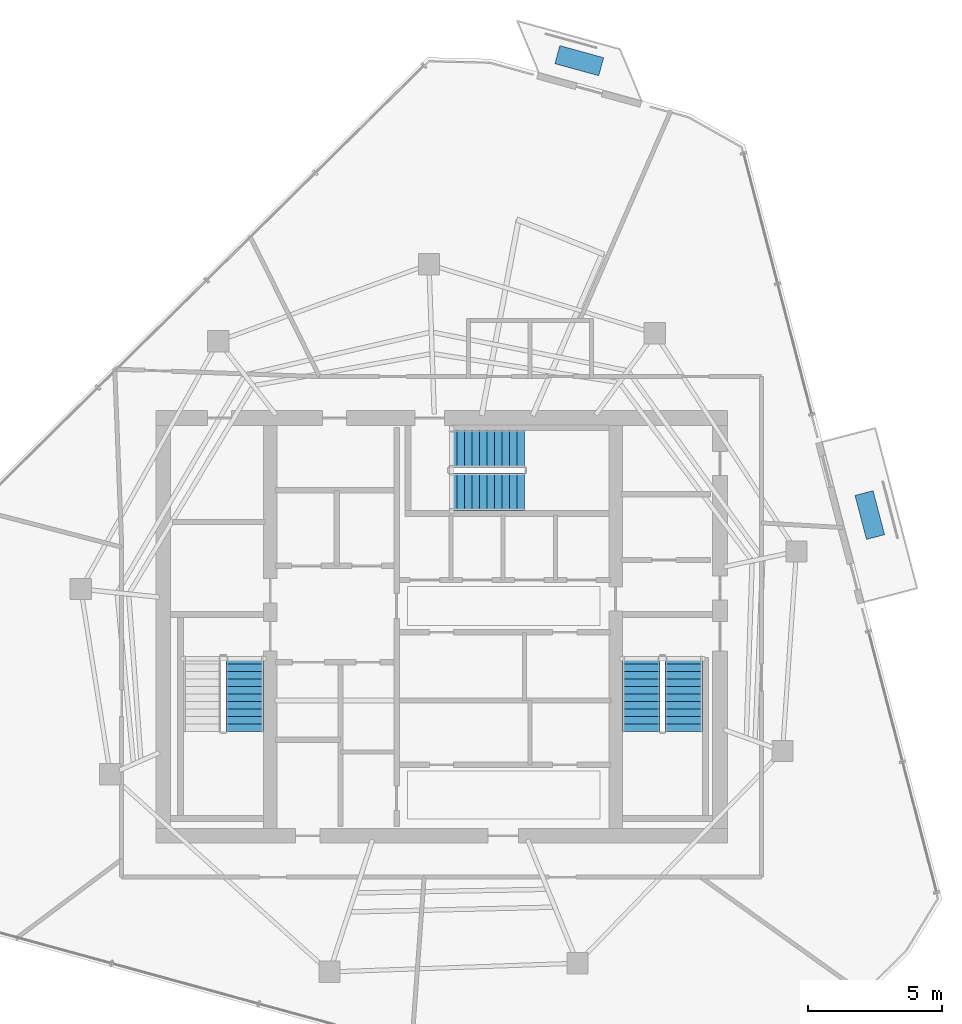
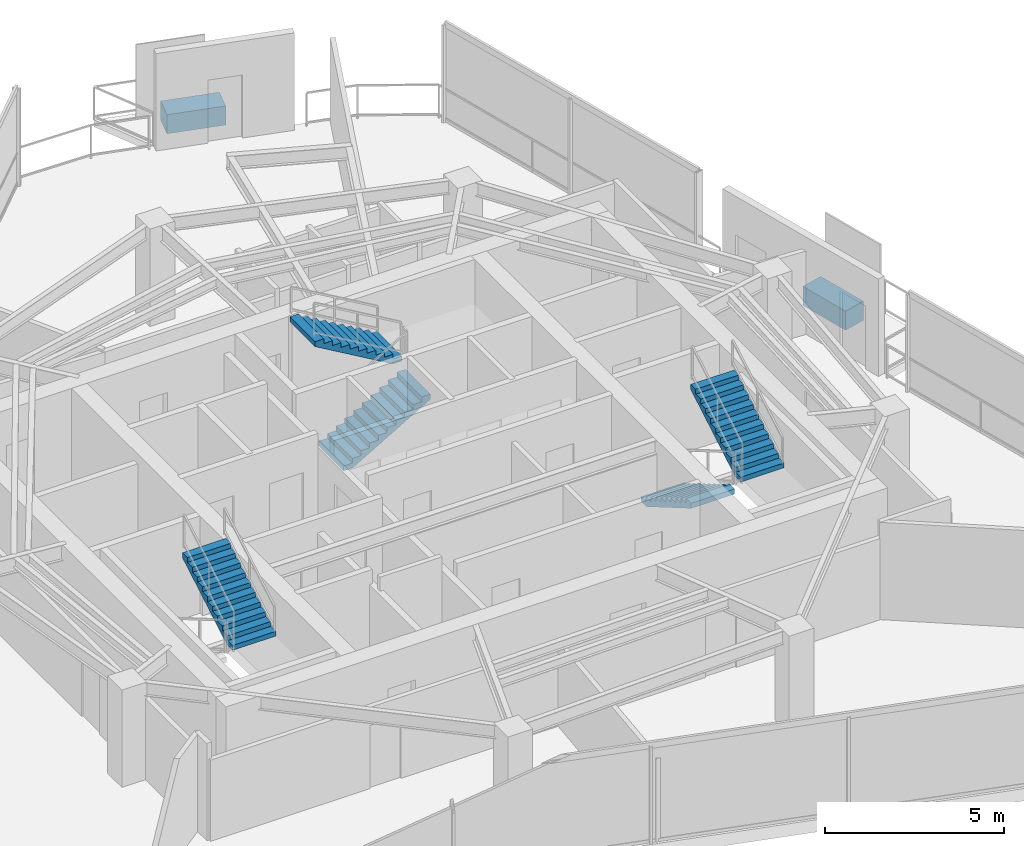
# One storey, part 17 of 19: 5 stair flights, 2 discrete accessories, 3 elements without a shape of their own.
"""IFC4 building model written with IfcOpenShell, lengths in metres."""

import ifcopenshell
import ifcopenshell.guid

model = None  # the IFC model being written
_history = None  # IfcOwnerHistory: only IFC2X3 demands one
_inside = {}  # id of a spatial element -> (the spatial element, [elements in it])
_under = {}  # id of a project, library or spatial element -> (it, [spatial elements below it])
_declared = {}  # id of a project -> (the project, [libraries it declares])
_typed = {}  # id of a type object -> (the type object, [elements of that type])
_made_of = {}  # id of a material, layer set ... -> (it, [elements and type objects made of it])


def new_model(schema):
    """Start an empty IFC model of exactly this schema.

    Asked for "IFC4X3", IfcOpenShell would pick the latest addendum, in which some entities
    have other attributes; the version numbers below select the first issue.
    IFC2X3 requires an IfcOwnerHistory on every rooted entity: one is made here for all.
    """
    global model, _history
    if schema == "IFC4X3":
        model = ifcopenshell.file(schema_version=(4, 3, 0, 0))
    else:
        model = ifcopenshell.file(schema=schema)
    _inside.clear()
    _under.clear()
    _declared.clear()
    _typed.clear()
    _made_of.clear()
    _history = None
    if model.schema == "IFC2X3":
        org = make("IfcOrganization", Name="unknown")
        user = make(
            "IfcPersonAndOrganization",
            ThePerson=make("IfcPerson", FamilyName="unknown"),
            TheOrganization=org,
        )
        app = make(
            "IfcApplication",
            ApplicationDeveloper=org,
            Version="unknown",
            ApplicationFullName="unknown",
            ApplicationIdentifier="unknown",
        )
        _history = make(
            "IfcOwnerHistory",
            OwningUser=user,
            OwningApplication=app,
            ChangeAction="ADDED",
            CreationDate=0,
        )
    return model


def make(cls, **values):
    """One entity of the class cls with the attributes given. An attribute that is None is left unset."""
    return model.create_entity(
        cls, **{name: value for name, value in values.items() if value is not None}
    )


def rooted(cls, **values):
    """An entity with a GlobalId (a new one), such as an element, a storey or a relation."""
    return make(cls, GlobalId=ifcopenshell.guid.new(), OwnerHistory=_history, **values)


def si_unit(unit_type, name, prefix=None):
    """IfcSIUnit, for example si_unit("LENGTHUNIT", "METRE", prefix="MILLI")."""
    return make("IfcSIUnit", UnitType=unit_type, Prefix=prefix, Name=name)


def assignment(units):
    """IfcUnitAssignment: the units of a project."""
    return None if units is None else make("IfcUnitAssignment", Units=units)


def point(xyz):
    """IfcCartesianPoint."""
    return None if xyz is None else make("IfcCartesianPoint", Coordinates=xyz)


def direction(xyz):
    """IfcDirection."""
    return None if xyz is None else make("IfcDirection", DirectionRatios=xyz)


def frame(location, z_axis=None, x_axis=None):
    """IfcAxis2Placement3D, a coordinate frame: its origin and axes. An axis left out is left unset."""
    return make(
        "IfcAxis2Placement3D",
        Location=point(location),
        Axis=direction(z_axis),
        RefDirection=direction(x_axis),
    )


def frame_2d(location, x_axis=None):
    """IfcAxis2Placement2D, a coordinate frame in the plane: its origin and x axis."""
    return make(
        "IfcAxis2Placement2D", Location=point(location), RefDirection=direction(x_axis)
    )


def origin():
    """The frame at (0, 0, 0) with its axes left unset."""
    return frame((0.0, 0.0, 0.0))


def origin_2d():
    """The frame at (0, 0) in the plane with its x axis left unset."""
    return frame_2d((0.0, 0.0))


def place(relative_to, where):
    """IfcLocalPlacement: puts the frame where relative to a parent placement (None: the world)."""
    return make(
        "IfcLocalPlacement", PlacementRelTo=relative_to, RelativePlacement=where
    )


def context(
    kind, dimensions, precision=None, world=None, true_north=None, identifier=None
):
    """IfcGeometricRepresentationContext, for example the 3D "Model" context."""
    return make(
        "IfcGeometricRepresentationContext",
        ContextIdentifier=identifier,
        ContextType=kind,
        CoordinateSpaceDimension=dimensions,
        Precision=precision,
        WorldCoordinateSystem=world,
        TrueNorth=true_north,
    )


def subcontext(parent, identifier, kind, view, scale=None):
    """IfcGeometricRepresentationSubContext, for example "Body" below "Model"."""
    return make(
        "IfcGeometricRepresentationSubContext",
        ContextIdentifier=identifier,
        ContextType=kind,
        ParentContext=parent,
        TargetScale=scale,
        TargetView=view,
    )


def project(units=None, contexts=None):
    """IfcProject with its units and contexts."""
    return rooted(
        "IfcProject",
        Name="project",
        RepresentationContexts=contexts,
        UnitsInContext=assignment(units),
    )


def spatial(cls, under=None, at=None, **own):
    """A site, building, storey or space (cls), placed at a placement, below another one or the project."""
    s = rooted(cls, ObjectPlacement=at, **own)
    if under is not None:
        _under.setdefault(under.id(), (under, []))[1].append(s)
    return s


def polyline(points):
    """IfcPolyline through the points."""
    return make("IfcPolyline", Points=[point(p) for p in points])


def profile(cls, at=None, kind="AREA", **sizes):
    """A parametric profile (cls). Its sizes go by their IFC names, for example OverallWidth=200.0."""
    return make(cls, ProfileType=kind, Position=at, **sizes)


def rectangle(**sizes):
    """IfcRectangleProfileDef."""
    return profile("IfcRectangleProfileDef", **sizes)


def outline(outer, holes=None, kind="AREA"):
    """IfcArbitraryClosedProfileDef: a profile drawn as a closed curve; with holes, ...WithVoids."""
    if holes is None:
        return make("IfcArbitraryClosedProfileDef", ProfileType=kind, OuterCurve=outer)
    return make(
        "IfcArbitraryProfileDefWithVoids",
        ProfileType=kind,
        OuterCurve=outer,
        InnerCurves=holes,
    )


def extrude(swept, where, along, depth):
    """IfcExtrudedAreaSolid: the profile swept, set in the frame where, extruded along a direction by depth."""
    return make(
        "IfcExtrudedAreaSolid",
        SweptArea=swept,
        Position=where,
        ExtrudedDirection=direction(along),
        Depth=depth,
    )


def shape(context_of_items, identifier, shape_type, items):
    """IfcShapeRepresentation: the items that make up one representation, for example the "Body"."""
    return make(
        "IfcShapeRepresentation",
        ContextOfItems=context_of_items,
        RepresentationIdentifier=identifier,
        RepresentationType=shape_type,
        Items=items,
    )


def material(Name=None, Category=None):
    """IfcMaterial."""
    return make("IfcMaterial", Name=Name, Category=Category)


def made_of(thing, what):
    """Note that an element or type object is made of a material, layer set ...; save() writes the relation."""
    if what is not None:
        _made_of.setdefault(what.id(), (what, []))[1].append(thing)
    return thing


def type_object(cls, material=None, **own):
    """A type object (cls), such as IfcWallType, which elements share."""
    return made_of(rooted(cls, **own), material)


def element(
    cls,
    number,
    at=None,
    inside=None,
    cuts=None,
    type_object=None,
    material=None,
    context=None,
    identifier="Body",
    shape_type=None,
    held_by="IfcProductDefinitionShape",
    body=None,
    shapes=None,
    **own,
):
    """One element of the class cls, such as IfcWall. Its Tag is "e" and its number.

    at: its placement. inside: the storey or other place that contains it. cuts: it is an
    opening in that element (IfcRelVoidsElement). A single representation is given by context,
    identifier, shape_type and body (its items); several are given by shapes. held_by: the class
    of the entity that holds the representations. save() writes the other relations.
    """
    e = rooted(cls, Tag="e%d" % number, ObjectPlacement=at, **own)
    if body is not None:
        shapes = [shape(context, identifier, shape_type, body)]
    if shapes is not None:
        e.Representation = make(held_by, Representations=shapes)
    if inside is not None:
        _inside.setdefault(inside.id(), (inside, []))[1].append(e)
    if cuts is not None:
        rooted(
            "IfcRelVoidsElement", RelatingBuildingElement=cuts, RelatedOpeningElement=e
        )
    if type_object is not None:
        _typed.setdefault(type_object.id(), (type_object, []))[1].append(e)
    return made_of(e, material)


def aggregate(whole, parts):
    """IfcRelAggregates: a whole, such as a stair, and the parts it consists of."""
    return rooted("IfcRelAggregates", RelatingObject=whole, RelatedObjects=parts)


def save(model, path):
    """Write the relations noted so far, then the file.

    IfcRelAggregates (storeys below a building ...), IfcRelContainedInSpatialStructure (elements
    in a storey), IfcRelDefinesByType, IfcRelAssociatesMaterial and IfcRelDeclares: one each for
    every whole, place, type object, material and project.
    """
    for whole, parts in _under.values():
        aggregate(whole, parts)
    for where, things in _inside.values():
        rooted(
            "IfcRelContainedInSpatialStructure",
            RelatedElements=things,
            RelatingStructure=where,
        )
    for kind, things in _typed.values():
        rooted("IfcRelDefinesByType", RelatedObjects=things, RelatingType=kind)
    for what, things in _made_of.values():
        rooted("IfcRelAssociatesMaterial", RelatedObjects=things, RelatingMaterial=what)
    for by, libraries in _declared.values():
        rooted("IfcRelDeclares", RelatingContext=by, RelatedDefinitions=libraries)
    model.write(path)


model = new_model("IFC4")

# Units and contexts
model_context = context("Model", 3, precision=1e-05, world=origin(), true_north=direction((0.0, 1.0)))
body_context = subcontext(model_context, "Body", "Model", "MODEL_VIEW")
ifc_project = project(units=[si_unit("LENGTHUNIT", "METRE"), si_unit("AREAUNIT", "SQUARE_METRE"), si_unit("VOLUMEUNIT", "CUBIC_METRE"), si_unit("PLANEANGLEUNIT", "RADIAN"), si_unit("MASSUNIT", "GRAM", prefix="KILO")], contexts=[model_context])

# Site, building, storey
site_placement = place(None, origin())
site = spatial("IfcSite", under=ifc_project, at=site_placement, CompositionType="ELEMENT")
building_placement = place(site_placement, origin())
building = spatial("IfcBuilding", under=site, at=building_placement, Name="Qarnah Convention Tower", CompositionType="ELEMENT")
storey_placement = place(building_placement, frame((0.0, 0.0, 235.5)))
storey = spatial("IfcBuildingStorey", under=building, at=storey_placement, Name="L63", CompositionType="ELEMENT", Elevation=235.5)

# Stair, stair flight
ifc_material_1 = material(Name="Concrete C50/60", Category="concrete")
stair_type = type_object("IfcStairType", Name="STR-OFF", PredefinedType="HALF_TURN_STAIR", material=ifc_material_1)
stair_1_placement = place(storey_placement, origin())
stair_1 = element("IfcStair", 1, at=stair_1_placement, inside=storey, type_object=stair_type, Name="L63 Core exit stair ST-1", PredefinedType="HALF_TURN_STAIR")
stair_flight_type = type_object("IfcStairFlightType", Name="FLT-OFF", PredefinedType="STRAIGHT", material=ifc_material_1)
stair_flight_1_placement = place(storey_placement, frame((29.85009765625, 22.5, 1.800048828125), z_axis=(0.0, 0.0, 1.0), x_axis=(0.0, 1.0, 0.0)))
stair_flight_1 = element("IfcStairFlight", 2, at=stair_flight_1_placement, type_object=stair_flight_type, Name="ST-1 flight 2", NumberOfRisers=11, NumberOfTreads=10, PredefinedType="STRAIGHT", RiserHeight=0.163636364, TreadLength=0.28, context=body_context, shape_type="SweptSolid", body=[
    extrude(outline(polyline([(0.0, 0.0), (0.0, 0.16357421875), (0.280029296875, 0.16357421875), (0.280029296875, 0.327392578125), (0.56005859375, 0.327392578125), (0.56005859375, 0.490966796875), (0.840087890625, 0.490966796875), (0.840087890625, 0.654541015625), (1.1201171875, 0.654541015625), (1.1201171875, 0.818115234375), (1.39990234375, 0.818115234375), (1.39990234375, 0.98193359375), (1.679931640625, 0.98193359375), (1.679931640625, 1.1455078125), (1.9599609375, 1.1455078125), (1.9599609375, 1.30908203125), (2.239990234375, 1.30908203125), (2.239990234375, 1.47265625), (2.52001953125, 1.47265625), (2.52001953125, 1.636474609375), (2.800048828125, 1.636474609375), (2.800048828125, 1.800048828125), (2.800048828125, 1.462646484375), (0.297119140625, 0.0), (0.0, 0.0)])), frame((0.0, 0.699951171875, 0.0), z_axis=(0.0, -1.0, 0.0), x_axis=(1.0, 0.0, 0.0)), (0.0, 0.0, 1.0), 1.39990234375),
])
aggregate(stair_1, [stair_flight_1])

# Stair, stair flights
stair_2_placement = place(storey_placement, origin())
stair_2 = element("IfcStair", 3, at=stair_2_placement, inside=storey, type_object=stair_type, Name="L63 Core exit stair ST-2", PredefinedType="HALF_TURN_STAIR")
stair_flight_2_placement = place(storey_placement, frame((44.64990234375, 25.300048828125, 0.0), z_axis=(0.0, 0.0, 1.0), x_axis=(0.0, -1.0, 0.0)))
stair_flight_2 = element("IfcStairFlight", 4, at=stair_flight_2_placement, type_object=stair_flight_type, Name="ST-2 flight 1", NumberOfRisers=11, NumberOfTreads=10, PredefinedType="STRAIGHT", RiserHeight=0.163636364, TreadLength=0.28, context=body_context, shape_type="SweptSolid", body=[
    extrude(outline(polyline([(0.0, 0.0), (0.0, 0.16357421875), (0.280029296875, 0.16357421875), (0.280029296875, 0.327392578125), (0.56005859375, 0.327392578125), (0.56005859375, 0.490966796875), (0.840087890625, 0.490966796875), (0.840087890625, 0.654541015625), (1.1201171875, 0.654541015625), (1.1201171875, 0.818115234375), (1.39990234375, 0.818115234375), (1.39990234375, 0.98193359375), (1.679931640625, 0.98193359375), (1.679931640625, 1.1455078125), (1.9599609375, 1.1455078125), (1.9599609375, 1.30908203125), (2.239990234375, 1.30908203125), (2.239990234375, 1.47265625), (2.52001953125, 1.47265625), (2.52001953125, 1.636474609375), (2.800048828125, 1.636474609375), (2.800048828125, 1.800048828125), (2.800048828125, 1.462646484375), (0.297119140625, 0.0), (0.0, 0.0)])), frame((0.0, 0.699951171875, 0.0), z_axis=(0.0, -1.0, 0.0), x_axis=(1.0, 0.0, 0.0)), (0.0, 0.0, 1.0), 1.39990234375),
])
stair_flight_3_placement = place(storey_placement, frame((46.25, 22.5, 1.800048828125), z_axis=(0.0, 0.0, 1.0), x_axis=(0.0, 1.0, 0.0)))
stair_flight_3 = element("IfcStairFlight", 5, at=stair_flight_3_placement, type_object=stair_flight_type, Name="ST-2 flight 2", NumberOfRisers=11, NumberOfTreads=10, PredefinedType="STRAIGHT", RiserHeight=0.163636364, TreadLength=0.28, context=body_context, shape_type="SweptSolid", body=[
    extrude(outline(polyline([(0.0, 0.0), (0.0, 0.16357421875), (0.280029296875, 0.16357421875), (0.280029296875, 0.327392578125), (0.56005859375, 0.327392578125), (0.56005859375, 0.490966796875), (0.840087890625, 0.490966796875), (0.840087890625, 0.654541015625), (1.1201171875, 0.654541015625), (1.1201171875, 0.818115234375), (1.39990234375, 0.818115234375), (1.39990234375, 0.98193359375), (1.679931640625, 0.98193359375), (1.679931640625, 1.1455078125), (1.9599609375, 1.1455078125), (1.9599609375, 1.30908203125), (2.239990234375, 1.30908203125), (2.239990234375, 1.47265625), (2.52001953125, 1.47265625), (2.52001953125, 1.636474609375), (2.800048828125, 1.636474609375), (2.800048828125, 1.800048828125), (2.800048828125, 1.462646484375), (0.297119140625, 0.0), (0.0, 0.0)])), frame((0.0, 0.699951171875, 0.0), z_axis=(0.0, -1.0, 0.0), x_axis=(1.0, 0.0, 0.0)), (0.0, 0.0, 1.0), 1.39990234375),
])
aggregate(stair_2, [stair_flight_2, stair_flight_3])

stair_3_placement = place(storey_placement, origin())
stair_3 = element("IfcStair", 6, at=stair_3_placement, inside=storey, type_object=stair_type, Name="L63 Core exit stair ST-3", PredefinedType="HALF_TURN_STAIR")
stair_flight_4_placement = place(storey_placement, frame((37.5, 31.449951171875, 0.0), z_axis=(0.0, 0.0, 1.0), x_axis=(1.0, 0.0, 0.0)))
stair_flight_4 = element("IfcStairFlight", 7, at=stair_flight_4_placement, type_object=stair_flight_type, Name="ST-3 flight 1", NumberOfRisers=11, NumberOfTreads=10, PredefinedType="STRAIGHT", RiserHeight=0.163636364, TreadLength=0.28, context=body_context, shape_type="SweptSolid", body=[
    extrude(outline(polyline([(0.0, 0.0), (0.0, 0.16357421875), (0.280029296875, 0.16357421875), (0.280029296875, 0.327392578125), (0.56005859375, 0.327392578125), (0.56005859375, 0.490966796875), (0.840087890625, 0.490966796875), (0.840087890625, 0.654541015625), (1.1201171875, 0.654541015625), (1.1201171875, 0.818115234375), (1.39990234375, 0.818115234375), (1.39990234375, 0.98193359375), (1.679931640625, 0.98193359375), (1.679931640625, 1.1455078125), (1.9599609375, 1.1455078125), (1.9599609375, 1.30908203125), (2.239990234375, 1.30908203125), (2.239990234375, 1.47265625), (2.52001953125, 1.47265625), (2.52001953125, 1.636474609375), (2.800048828125, 1.636474609375), (2.800048828125, 1.800048828125), (2.800048828125, 1.462646484375), (0.297119140625, 0.0), (0.0, 0.0)])), frame((0.0, 0.699951171875, 0.0), z_axis=(0.0, -1.0, 0.0), x_axis=(1.0, 0.0, 0.0)), (0.0, 0.0, 1.0), 1.39990234375),
])
stair_flight_5_placement = place(storey_placement, frame((40.300048828125, 33.050048828125, 1.800048828125), z_axis=(0.0, 0.0, 1.0), x_axis=(-1.0, 0.0, 0.0)))
stair_flight_5 = element("IfcStairFlight", 8, at=stair_flight_5_placement, type_object=stair_flight_type, Name="ST-3 flight 2", NumberOfRisers=11, NumberOfTreads=10, PredefinedType="STRAIGHT", RiserHeight=0.163636364, TreadLength=0.28, context=body_context, shape_type="SweptSolid", body=[
    extrude(outline(polyline([(0.0, 0.0), (0.0, 0.16357421875), (0.280029296875, 0.16357421875), (0.280029296875, 0.327392578125), (0.56005859375, 0.327392578125), (0.56005859375, 0.490966796875), (0.840087890625, 0.490966796875), (0.840087890625, 0.654541015625), (1.1201171875, 0.654541015625), (1.1201171875, 0.818115234375), (1.39990234375, 0.818115234375), (1.39990234375, 0.98193359375), (1.679931640625, 0.98193359375), (1.679931640625, 1.1455078125), (1.9599609375, 1.1455078125), (1.9599609375, 1.30908203125), (2.239990234375, 1.30908203125), (2.239990234375, 1.47265625), (2.52001953125, 1.47265625), (2.52001953125, 1.636474609375), (2.800048828125, 1.636474609375), (2.800048828125, 1.800048828125), (2.800048828125, 1.462646484375), (0.297119140625, 0.0), (0.0, 0.0)])), frame((0.0, 0.699951171875, 0.0), z_axis=(0.0, -1.0, 0.0), x_axis=(1.0, 0.0, 0.0)), (0.0, 0.0, 1.0), 1.39990234375),
])
aggregate(stair_3, [stair_flight_4, stair_flight_5])

# Discrete accessories
ifc_material_2 = material(Name="Precast concrete C45/55", Category="concrete")
discrete_accessory_type = type_object("IfcDiscreteAccessoryType", Name="ACC-PLANTER-900", PredefinedType="USERDEFINED", material=ifc_material_2)
for number, where, z_axis, x_axis, name in (
    (9, (42.342041015625, 47.551025390625, 0.0), (0.0, 0.0, 1.0), (-0.96423431693, 0.265051281935, 0.0), "L63 irrigated desert balcony PLANTER BAL-L63-C1"),
    (10, (53.194091796875, 30.577880859375, 0.0), (0.0, 0.0, 1.0), (-0.25274488521, 0.967532957062, 0.0), "L63 irrigated desert balcony PLANTER SG-L63"),
):
    element("IfcDiscreteAccessory", number, at=place(storey_placement, frame(where, z_axis=z_axis, x_axis=x_axis)), inside=storey, type_object=discrete_accessory_type, Name=name, ObjectType="PLANTER", PredefinedType="USERDEFINED", context=body_context, shape_type="SweptSolid", body=[
        extrude(rectangle(XDim=1.699951171875, YDim=0.699951171875, at=origin_2d()), origin(), (0.0, 0.0, 1.0), 0.64990234375),
    ])

save(model, "model.ifc")
